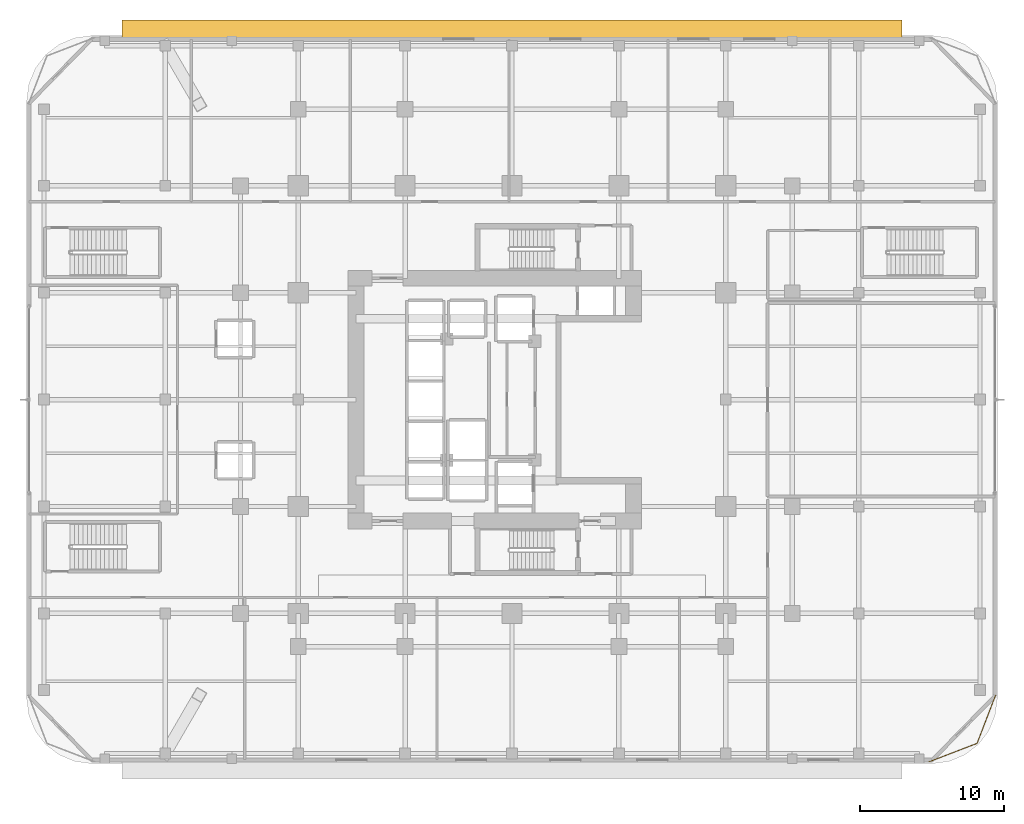
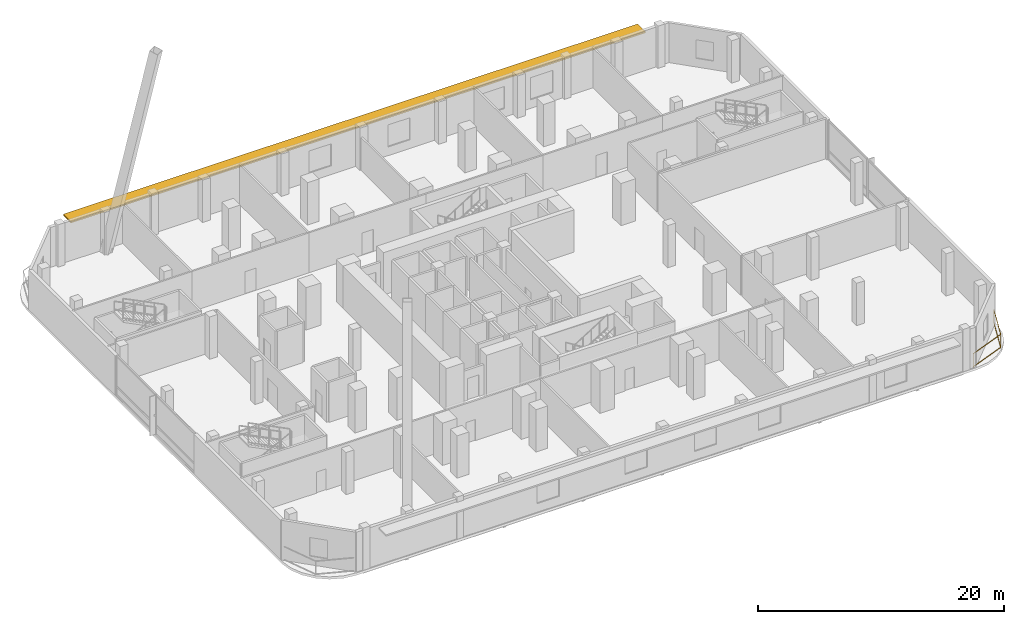
# One storey, part 18 of 19: 1 railing, 1 shading device.
"""IFC4 building model written with IfcOpenShell, lengths in metres."""

from ifc_helpers import new_model, si_unit, direction, frame, origin, origin_2d, place, context, subcontext, project, spatial, polyline, rectangle, outline, extrude, material, layer, layer_set, type_object, element, save


model = new_model("IFC4")

# Units and contexts
model_context = context("Model", 3, precision=1e-05, world=origin(), true_north=direction((0.0, 1.0)))
body_context = subcontext(model_context, "Body", "Model", "MODEL_VIEW")
ifc_project = project(units=[si_unit("LENGTHUNIT", "METRE"), si_unit("AREAUNIT", "SQUARE_METRE"), si_unit("VOLUMEUNIT", "CUBIC_METRE"), si_unit("PLANEANGLEUNIT", "RADIAN"), si_unit("MASSUNIT", "GRAM", prefix="KILO")], contexts=[model_context])

# Site, building, storey
site_placement = place(None, origin())
site = spatial("IfcSite", under=ifc_project, at=site_placement, CompositionType="ELEMENT")
building_placement = place(site_placement, origin())
building = spatial("IfcBuilding", under=site, at=building_placement, Name="Khorvyn Point Tower", CompositionType="ELEMENT")
storey_placement = place(building_placement, frame((0.0, 0.0, 4.800048828125)))
storey = spatial("IfcBuildingStorey", under=building, at=storey_placement, Name="L02", CompositionType="ELEMENT", Elevation=4.800048828125)

# Shading device
ifc_material_1 = material(Name="Bronze anodised aluminium 6063-T6", Category="aluminium")
ifc_layer = layer(ifc_material_1, 0.139892578125)
ifc_layer_set = layer_set([ifc_layer], Name="Anodised Aluminium Horizontal Monsoon Sunshade Canopy")
shading_device_type = type_object("IfcShadingDeviceType", Name="Anodised Aluminium Horizontal Monsoon Sunshade Canopy", PredefinedType="AWNING", material=ifc_layer_set)
shading_device_placement = place(storey_placement, frame((0.0, 0.0, 3.5400390625)))
element("IfcShadingDevice", 1, at=shading_device_placement, inside=storey, type_object=shading_device_type, Name="L02 North Classroom Monsoon Sunshade", PredefinedType="AWNING", context=body_context, shape_type="SweptSolid", body=[
    extrude(outline(polyline([(-27.0, 25.030029296875), (27.0, 25.030029296875), (27.0, 26.280029296875), (-27.0, 26.280029296875), (-27.0, 25.030029296875)])), origin(), (0.0, 0.0, 1.0), 0.139892578125),
])

# Railing
ifc_material_2 = material(Name="Anodised aluminium 6063-T6 and laminated safety glass", Category="aluminium")
railing_type = type_object("IfcRailingType", Name="Laminated Glass and Aluminium Balcony Guardrail 1400", PredefinedType="BALUSTRADE", material=ifc_material_2)
railing_placement = place(storey_placement, frame((28.870849609375, -25.073974609375, 0.0)))
element("IfcRailing", 2, at=railing_placement, inside=storey, type_object=railing_type, Name="L02 Rounded Corner Edge Guardrail SE", PredefinedType="BALUSTRADE", context=body_context, shape_type="SweptSolid", body=[
    extrude(rectangle(XDim=0.048095703125, YDim=0.048095703125, at=origin_2d()), frame((0.0, 0.0, 1.3759765625), z_axis=(0.933575007025, 0.358382067435, 0.0), x_axis=(-0.358382067435, 0.933575007025, 0.0)), (0.0, 0.0, 1.0), 3.562744140625),
    extrude(rectangle(XDim=0.048095703125, YDim=0.048095703125, at=origin_2d()), frame((0.0, 0.0, 0.080078125), z_axis=(0.933575007025, 0.358382067435, 0.0), x_axis=(-0.358382067435, 0.933575007025, 0.0)), (0.0, 0.0, 1.0), 3.562744140625),
    extrude(rectangle(XDim=0.048095703125, YDim=0.048095703125, at=origin_2d()), frame((3.326171875, 1.27685546875, 1.3759765625), z_axis=(0.35841886047, 0.933560882031, 0.0), x_axis=(-0.933560882031, 0.35841886047, 0.0)), (0.0, 0.0, 1.0), 3.563232421875),
    extrude(rectangle(XDim=0.048095703125, YDim=0.048095703125, at=origin_2d()), frame((3.326171875, 1.27685546875, 0.080078125), z_axis=(0.35841886047, 0.933560882031, 0.0), x_axis=(-0.933560882031, 0.35841886047, 0.0)), (0.0, 0.0, 1.0), 3.563232421875),
    extrude(rectangle(XDim=0.0419921875, YDim=0.0419921875, at=origin_2d()), origin(), (0.0, 0.0, 1.0), 1.351806640625),
    extrude(rectangle(XDim=0.0419921875, YDim=0.0419921875, at=origin_2d()), frame((3.326171875, 1.27685546875, 0.0)), (0.0, 0.0, 1.0), 1.351806640625),
    extrude(rectangle(XDim=0.0419921875, YDim=0.0419921875, at=origin_2d()), frame((4.603271484375, 4.603271484375, 0.0)), (0.0, 0.0, 1.0), 1.351806640625),
])

save(model, "model.ifc")
